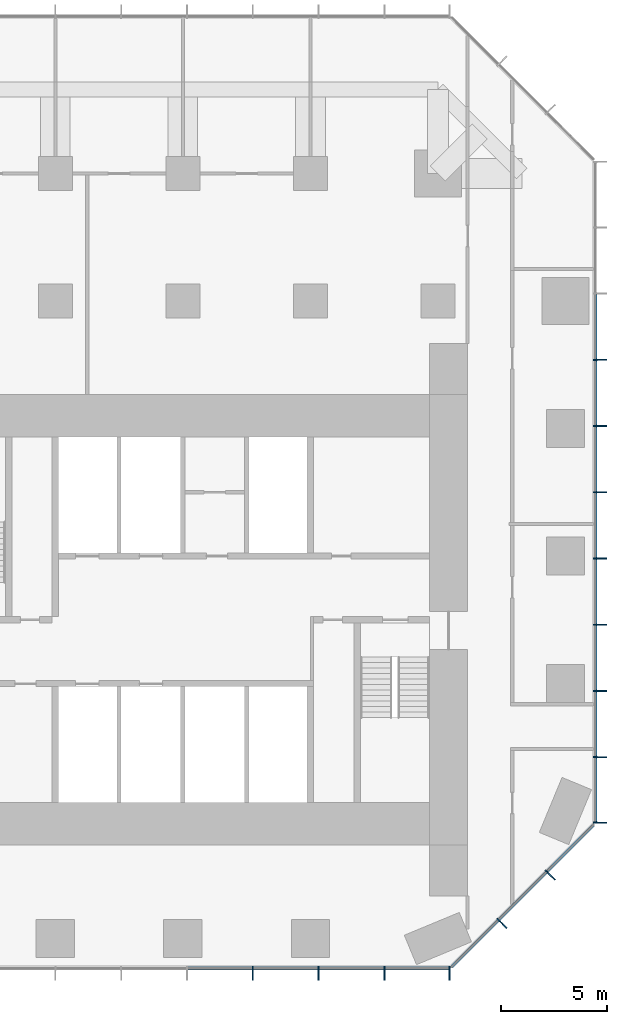
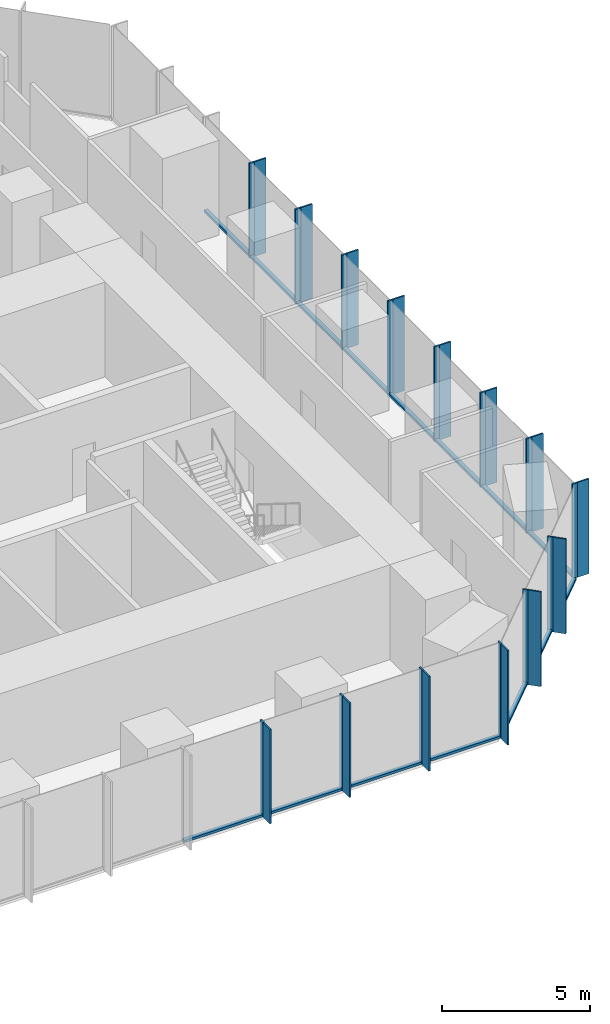
# One storey, part 4 of 11: 43 members, 3 elements without a shape of their own.
"""IFC4 building model written with IfcOpenShell, lengths in metres."""

from ifc_helpers import new_model, si_unit, direction, frame, origin, origin_2d, place, context, subcontext, project, spatial, rectangle, extrude, material, layer, layer_set, material_profile, profile_set, type_object, element, aggregate, save


model = new_model("IFC4")

# Units and contexts
model_context = context("Model", 3, precision=1e-05, world=origin(), true_north=direction((0.0, 1.0)))
body_context = subcontext(model_context, "Body", "Model", "MODEL_VIEW")
ifc_project = project(units=[si_unit("LENGTHUNIT", "METRE"), si_unit("AREAUNIT", "SQUARE_METRE"), si_unit("VOLUMEUNIT", "CUBIC_METRE"), si_unit("PLANEANGLEUNIT", "RADIAN"), si_unit("MASSUNIT", "GRAM", prefix="KILO")], contexts=[model_context])

# Site, building, storey
site_placement = place(None, origin())
site = spatial("IfcSite", under=ifc_project, at=site_placement, CompositionType="ELEMENT")
building_placement = place(site_placement, origin())
building = spatial("IfcBuilding", under=site, at=building_placement, Name="Highveld Stack Headquarters", CompositionType="ELEMENT")
storey_placement = place(building_placement, frame((0.0, 0.0, 109.39990234375)))
storey = spatial("IfcBuildingStorey", under=building, at=storey_placement, Name="L26", CompositionType="ELEMENT", Elevation=109.39990234375)

# Curtain wall, members
ifc_material_1 = material(Name="Aluminium bronze anodised", Category="aluminium")
ifc_layer_1 = layer(ifc_material_1, 0.199951171875)
ifc_layer_set_1 = layer_set([ifc_layer_1], Name="Aluminium bronze anodised")
curtain_wall_type_1 = type_object("IfcCurtainWallType", Name="CW1 TOWER UNITISED CURTAIN WALL", PredefinedType="NOTDEFINED", material=ifc_layer_set_1)
curtain_wall_1_placement = place(storey_placement, origin())
curtain_wall_1 = element("IfcCurtainWall", 1, at=curtain_wall_1_placement, inside=storey, type_object=curtain_wall_type_1, Name="Curtain wall CW1 L26 S", PredefinedType="NOTDEFINED")
ifc_material_2 = material(Name="Aluminium bronze anodised", Category="aluminium")
ifc_material_profile_1 = material_profile(ifc_material_2, rectangle(XDim=0.449951171875, YDim=0.06005859375, at=origin_2d()), Name="FIN 450x60")
ifc_profile_set_1 = profile_set([ifc_material_profile_1], Name="Aluminium bronze anodised")
member_type_1 = type_object("IfcMemberType", Name="CW1 BRONZE FIN 450x60", PredefinedType="USERDEFINED", material=ifc_profile_set_1)
member_1_placement = place(storey_placement, frame((9.2900390625, -13.72509765625, 0.0), z_axis=(0.0, 0.0, 1.0), x_axis=(0.0, 1.0, 0.0)))
member_1 = element("IfcMember", 2, at=member_1_placement, type_object=member_type_1, Name="CW1 fin L26 10", ObjectType="FIN", PredefinedType="USERDEFINED", context=body_context, shape_type="SweptSolid", body=[
    extrude(rectangle(XDim=0.449951171875, YDim=0.06005859375, at=origin_2d()), origin(), (0.0, 0.0, 1.0), 3.900146484375),
])
member_2_placement = place(storey_placement, frame((12.38671875, -13.72509765625, 0.0), z_axis=(0.0, 0.0, 1.0), x_axis=(0.0, 1.0, 0.0)))
member_2 = element("IfcMember", 3, at=member_2_placement, type_object=member_type_1, Name="CW1 fin L26 11", ObjectType="FIN", PredefinedType="USERDEFINED", context=body_context, shape_type="SweptSolid", body=[
    extrude(rectangle(XDim=0.449951171875, YDim=0.06005859375, at=origin_2d()), origin(), (0.0, 0.0, 1.0), 3.900146484375),
])
member_3_placement = place(storey_placement, frame((15.4833984375, -13.72509765625, 0.0), z_axis=(0.0, 0.0, 1.0), x_axis=(0.0, 1.0, 0.0)))
member_3 = element("IfcMember", 4, at=member_3_placement, type_object=member_type_1, Name="CW1 fin L26 12", ObjectType="FIN", PredefinedType="USERDEFINED", context=body_context, shape_type="SweptSolid", body=[
    extrude(rectangle(XDim=0.449951171875, YDim=0.06005859375, at=origin_2d()), origin(), (0.0, 0.0, 1.0), 3.900146484375),
])
member_4_placement = place(storey_placement, frame((18.54736328125, -13.72509765625, 0.0), z_axis=(0.0, 0.0, 1.0), x_axis=(0.0, 1.0, 0.0)))
member_4 = element("IfcMember", 5, at=member_4_placement, type_object=member_type_1, Name="CW1 fin L26 13", ObjectType="FIN", PredefinedType="USERDEFINED", context=body_context, shape_type="SweptSolid", body=[
    extrude(rectangle(XDim=0.449951171875, YDim=0.06005859375, at=origin_2d()), origin(), (0.0, 0.0, 1.0), 3.900146484375),
])

curtain_wall_2_placement = place(storey_placement, origin())
curtain_wall_2 = element("IfcCurtainWall", 6, at=curtain_wall_2_placement, inside=storey, type_object=curtain_wall_type_1, Name="Curtain wall CW1 L26 E", PredefinedType="NOTDEFINED")
member_5_placement = place(storey_placement, frame((25.72509765625, -6.54736328125, 0.0), z_axis=(0.0, 0.0, 1.0), x_axis=(-1.0, 0.0, 0.0)))
member_5 = element("IfcMember", 7, at=member_5_placement, type_object=member_type_1, Name="CW1 fin L26 1", ObjectType="FIN", PredefinedType="USERDEFINED", context=body_context, shape_type="SweptSolid", body=[
    extrude(rectangle(XDim=0.449951171875, YDim=0.06005859375, at=origin_2d()), origin(), (0.0, 0.0, 1.0), 3.900146484375),
])
member_6_placement = place(storey_placement, frame((25.72509765625, -3.4638671875, 0.0), z_axis=(0.0, 0.0, 1.0), x_axis=(-1.0, 0.0, 0.0)))
member_6 = element("IfcMember", 8, at=member_6_placement, type_object=member_type_1, Name="CW1 fin L26 2", ObjectType="FIN", PredefinedType="USERDEFINED", context=body_context, shape_type="SweptSolid", body=[
    extrude(rectangle(XDim=0.449951171875, YDim=0.06005859375, at=origin_2d()), origin(), (0.0, 0.0, 1.0), 3.900146484375),
])
member_7_placement = place(storey_placement, frame((25.72509765625, -0.347900390625, 0.0), z_axis=(0.0, 0.0, 1.0), x_axis=(-1.0, 0.0, 0.0)))
member_7 = element("IfcMember", 9, at=member_7_placement, type_object=member_type_1, Name="CW1 fin L26 3", ObjectType="FIN", PredefinedType="USERDEFINED", context=body_context, shape_type="SweptSolid", body=[
    extrude(rectangle(XDim=0.449951171875, YDim=0.06005859375, at=origin_2d()), origin(), (0.0, 0.0, 1.0), 3.900146484375),
])
member_8_placement = place(storey_placement, frame((25.72509765625, 2.76806640625, 0.0), z_axis=(0.0, 0.0, 1.0), x_axis=(-1.0, 0.0, 0.0)))
member_8 = element("IfcMember", 10, at=member_8_placement, type_object=member_type_1, Name="CW1 fin L26 4", ObjectType="FIN", PredefinedType="USERDEFINED", context=body_context, shape_type="SweptSolid", body=[
    extrude(rectangle(XDim=0.449951171875, YDim=0.06005859375, at=origin_2d()), origin(), (0.0, 0.0, 1.0), 3.900146484375),
])
member_9_placement = place(storey_placement, frame((25.72509765625, 5.884033203125, 0.0), z_axis=(0.0, 0.0, 1.0), x_axis=(-1.0, 0.0, 0.0)))
member_9 = element("IfcMember", 11, at=member_9_placement, type_object=member_type_1, Name="CW1 fin L26 5", ObjectType="FIN", PredefinedType="USERDEFINED", context=body_context, shape_type="SweptSolid", body=[
    extrude(rectangle(XDim=0.449951171875, YDim=0.06005859375, at=origin_2d()), origin(), (0.0, 0.0, 1.0), 3.900146484375),
])
member_10_placement = place(storey_placement, frame((25.72509765625, 9.0, 0.0), z_axis=(0.0, 0.0, 1.0), x_axis=(-1.0, 0.0, 0.0)))
member_10 = element("IfcMember", 12, at=member_10_placement, type_object=member_type_1, Name="CW1 fin L26 6", ObjectType="FIN", PredefinedType="USERDEFINED", context=body_context, shape_type="SweptSolid", body=[
    extrude(rectangle(XDim=0.449951171875, YDim=0.06005859375, at=origin_2d()), origin(), (0.0, 0.0, 1.0), 3.900146484375),
])
member_11_placement = place(storey_placement, frame((25.72509765625, 12.115966796875, 0.0), z_axis=(0.0, 0.0, 1.0), x_axis=(-1.0, 0.0, 0.0)))
member_11 = element("IfcMember", 13, at=member_11_placement, type_object=member_type_1, Name="CW1 fin L26 7", ObjectType="FIN", PredefinedType="USERDEFINED", context=body_context, shape_type="SweptSolid", body=[
    extrude(rectangle(XDim=0.449951171875, YDim=0.06005859375, at=origin_2d()), origin(), (0.0, 0.0, 1.0), 3.900146484375),
])
member_12_placement = place(storey_placement, frame((25.72509765625, 15.23193359375, 0.0), z_axis=(0.0, 0.0, 1.0), x_axis=(-1.0, 0.0, 0.0)))
member_12 = element("IfcMember", 14, at=member_12_placement, type_object=member_type_1, Name="CW1 fin L26 8", ObjectType="FIN", PredefinedType="USERDEFINED", context=body_context, shape_type="SweptSolid", body=[
    extrude(rectangle(XDim=0.449951171875, YDim=0.06005859375, at=origin_2d()), origin(), (0.0, 0.0, 1.0), 3.900146484375),
])

# Member
ifc_material_3 = material(Name="Aluminium bronze anodised", Category="aluminium")
ifc_material_profile_2 = material_profile(ifc_material_3, rectangle(XDim=0.199951171875, YDim=0.06494140625, at=origin_2d()), Name="CW1 MULLION 65x200")
ifc_profile_set_2 = profile_set([ifc_material_profile_2], Name="Aluminium bronze anodised")
member_type_2 = type_object("IfcMemberType", Name="CW1 MULLION 65x200", PredefinedType="MULLION", material=ifc_profile_set_2)
member_13_placement = place(storey_placement, frame((9.2900390625, -13.39990234375, 0.0), z_axis=(0.0, 0.0, 1.0), x_axis=(0.0, 1.0, 0.0)))
member_13 = element("IfcMember", 15, at=member_13_placement, type_object=member_type_2, Name="CW1 mullion L26 10", PredefinedType="MULLION", context=body_context, shape_type="SweptSolid", body=[
    extrude(rectangle(XDim=0.199951171875, YDim=0.06494140625, at=origin_2d()), origin(), (0.0, 0.0, 1.0), 3.900146484375),
])

member_14_placement = place(storey_placement, frame((12.38671875, -13.39990234375, 0.0), z_axis=(0.0, 0.0, 1.0), x_axis=(0.0, 1.0, 0.0)))
member_14 = element("IfcMember", 16, at=member_14_placement, type_object=member_type_2, Name="CW1 mullion L26 11", PredefinedType="MULLION", context=body_context, shape_type="SweptSolid", body=[
    extrude(rectangle(XDim=0.199951171875, YDim=0.06494140625, at=origin_2d()), origin(), (0.0, 0.0, 1.0), 3.900146484375),
])

member_15_placement = place(storey_placement, frame((15.4833984375, -13.39990234375, 0.0), z_axis=(0.0, 0.0, 1.0), x_axis=(0.0, 1.0, 0.0)))
member_15 = element("IfcMember", 17, at=member_15_placement, type_object=member_type_2, Name="CW1 mullion L26 12", PredefinedType="MULLION", context=body_context, shape_type="SweptSolid", body=[
    extrude(rectangle(XDim=0.199951171875, YDim=0.06494140625, at=origin_2d()), origin(), (0.0, 0.0, 1.0), 3.900146484375),
])

member_16_placement = place(storey_placement, frame((18.54736328125, -13.39990234375, 0.0), z_axis=(0.0, 0.0, 1.0), x_axis=(0.0, 1.0, 0.0)))
member_16 = element("IfcMember", 18, at=member_16_placement, type_object=member_type_2, Name="CW1 mullion L26 13", PredefinedType="MULLION", context=body_context, shape_type="SweptSolid", body=[
    extrude(rectangle(XDim=0.199951171875, YDim=0.06494140625, at=origin_2d()), origin(), (0.0, 0.0, 1.0), 3.900146484375),
])

member_17_placement = place(storey_placement, frame((25.39990234375, -6.54736328125, 0.0), z_axis=(0.0, 0.0, 1.0), x_axis=(-1.0, 0.0, 0.0)))
member_17 = element("IfcMember", 19, at=member_17_placement, type_object=member_type_2, Name="CW1 mullion L26 1", PredefinedType="MULLION", context=body_context, shape_type="SweptSolid", body=[
    extrude(rectangle(XDim=0.199951171875, YDim=0.06494140625, at=origin_2d()), origin(), (0.0, 0.0, 1.0), 3.900146484375),
])

member_18_placement = place(storey_placement, frame((25.39990234375, -3.4638671875, 0.0), z_axis=(0.0, 0.0, 1.0), x_axis=(-1.0, 0.0, 0.0)))
member_18 = element("IfcMember", 20, at=member_18_placement, type_object=member_type_2, Name="CW1 mullion L26 2", PredefinedType="MULLION", context=body_context, shape_type="SweptSolid", body=[
    extrude(rectangle(XDim=0.199951171875, YDim=0.06494140625, at=origin_2d()), origin(), (0.0, 0.0, 1.0), 3.900146484375),
])

member_19_placement = place(storey_placement, frame((25.39990234375, -0.347900390625, 0.0), z_axis=(0.0, 0.0, 1.0), x_axis=(-1.0, 0.0, 0.0)))
member_19 = element("IfcMember", 21, at=member_19_placement, type_object=member_type_2, Name="CW1 mullion L26 3", PredefinedType="MULLION", context=body_context, shape_type="SweptSolid", body=[
    extrude(rectangle(XDim=0.199951171875, YDim=0.06494140625, at=origin_2d()), origin(), (0.0, 0.0, 1.0), 3.900146484375),
])

member_20_placement = place(storey_placement, frame((25.39990234375, 2.76806640625, 0.0), z_axis=(0.0, 0.0, 1.0), x_axis=(-1.0, 0.0, 0.0)))
member_20 = element("IfcMember", 22, at=member_20_placement, type_object=member_type_2, Name="CW1 mullion L26 4", PredefinedType="MULLION", context=body_context, shape_type="SweptSolid", body=[
    extrude(rectangle(XDim=0.199951171875, YDim=0.06494140625, at=origin_2d()), origin(), (0.0, 0.0, 1.0), 3.900146484375),
])

member_21_placement = place(storey_placement, frame((25.39990234375, 5.884033203125, 0.0), z_axis=(0.0, 0.0, 1.0), x_axis=(-1.0, 0.0, 0.0)))
member_21 = element("IfcMember", 23, at=member_21_placement, type_object=member_type_2, Name="CW1 mullion L26 5", PredefinedType="MULLION", context=body_context, shape_type="SweptSolid", body=[
    extrude(rectangle(XDim=0.199951171875, YDim=0.06494140625, at=origin_2d()), origin(), (0.0, 0.0, 1.0), 3.900146484375),
])

member_22_placement = place(storey_placement, frame((25.39990234375, 9.0, 0.0), z_axis=(0.0, 0.0, 1.0), x_axis=(-1.0, 0.0, 0.0)))
member_22 = element("IfcMember", 24, at=member_22_placement, type_object=member_type_2, Name="CW1 mullion L26 6", PredefinedType="MULLION", context=body_context, shape_type="SweptSolid", body=[
    extrude(rectangle(XDim=0.199951171875, YDim=0.06494140625, at=origin_2d()), origin(), (0.0, 0.0, 1.0), 3.900146484375),
])

member_23_placement = place(storey_placement, frame((25.39990234375, 12.115966796875, 0.0), z_axis=(0.0, 0.0, 1.0), x_axis=(-1.0, 0.0, 0.0)))
member_23 = element("IfcMember", 25, at=member_23_placement, type_object=member_type_2, Name="CW1 mullion L26 7", PredefinedType="MULLION", context=body_context, shape_type="SweptSolid", body=[
    extrude(rectangle(XDim=0.199951171875, YDim=0.06494140625, at=origin_2d()), origin(), (0.0, 0.0, 1.0), 3.900146484375),
])

member_24_placement = place(storey_placement, frame((25.39990234375, 15.23193359375, 0.0), z_axis=(0.0, 0.0, 1.0), x_axis=(-1.0, 0.0, 0.0)))
member_24 = element("IfcMember", 26, at=member_24_placement, type_object=member_type_2, Name="CW1 mullion L26 8", PredefinedType="MULLION", context=body_context, shape_type="SweptSolid", body=[
    extrude(rectangle(XDim=0.199951171875, YDim=0.06494140625, at=origin_2d()), origin(), (0.0, 0.0, 1.0), 3.900146484375),
])

ifc_material_4 = material(Name="Aluminium bronze anodised", Category="aluminium")
ifc_material_profile_3 = material_profile(ifc_material_4, rectangle(XDim=0.14990234375, YDim=0.10009765625, at=origin_2d()), Name="CW1 TRANSOM 150x100")
ifc_profile_set_3 = profile_set([ifc_material_profile_3], Name="Aluminium bronze anodised")
member_type_3 = type_object("IfcMemberType", Name="CW1 STACK TRANSOM 150x100", PredefinedType="USERDEFINED", material=ifc_profile_set_3)
member_25_placement = place(storey_placement, frame((6.225830078125, -13.39990234375, 0.050048828125), z_axis=(1.0, 0.0, 0.0), x_axis=(0.0, 1.0, 0.0)))
member_25 = element("IfcMember", 27, at=member_25_placement, type_object=member_type_3, Name="CW1 transom L26 9.1", ObjectType="TRANSOM", PredefinedType="USERDEFINED", context=body_context, shape_type="SweptSolid", body=[
    extrude(rectangle(XDim=0.14990234375, YDim=0.10009765625, at=origin_2d()), origin(), (0.0, 0.0, 1.0), 3.03173828125),
])

member_26_placement = place(storey_placement, frame((9.322509765625, -13.39990234375, 0.050048828125), z_axis=(1.0, 0.0, 0.0), x_axis=(0.0, 1.0, 0.0)))
member_26 = element("IfcMember", 28, at=member_26_placement, type_object=member_type_3, Name="CW1 transom L26 10.1", ObjectType="TRANSOM", PredefinedType="USERDEFINED", context=body_context, shape_type="SweptSolid", body=[
    extrude(rectangle(XDim=0.14990234375, YDim=0.10009765625, at=origin_2d()), origin(), (0.0, 0.0, 1.0), 3.031494140625),
])

member_27_placement = place(storey_placement, frame((12.419189453125, -13.39990234375, 0.050048828125), z_axis=(1.0, 0.0, 0.0), x_axis=(0.0, 1.0, 0.0)))
member_27 = element("IfcMember", 29, at=member_27_placement, type_object=member_type_3, Name="CW1 transom L26 11.1", ObjectType="TRANSOM", PredefinedType="USERDEFINED", context=body_context, shape_type="SweptSolid", body=[
    extrude(rectangle(XDim=0.14990234375, YDim=0.10009765625, at=origin_2d()), origin(), (0.0, 0.0, 1.0), 3.031494140625),
])

member_28_placement = place(storey_placement, frame((15.515869140625, -13.39990234375, 0.050048828125), z_axis=(1.0, 0.0, 0.0), x_axis=(0.0, 1.0, 0.0)))
member_28 = element("IfcMember", 30, at=member_28_placement, type_object=member_type_3, Name="CW1 transom L26 12.1", ObjectType="TRANSOM", PredefinedType="USERDEFINED", context=body_context, shape_type="SweptSolid", body=[
    extrude(rectangle(XDim=0.14990234375, YDim=0.10009765625, at=origin_2d()), origin(), (0.0, 0.0, 1.0), 2.9990234375),
])

aggregate(curtain_wall_1, [member_13, member_1, member_14, member_2, member_15, member_3, member_16, member_4, member_25, member_26, member_27, member_28])

member_29_placement = place(storey_placement, frame((25.39990234375, -6.514892578125, 0.050048828125), z_axis=(0.0, 1.0, 0.0), x_axis=(-1.0, 0.0, 0.0)))
member_29 = element("IfcMember", 31, at=member_29_placement, type_object=member_type_3, Name="CW1 transom L26 1.1", ObjectType="TRANSOM", PredefinedType="USERDEFINED", context=body_context, shape_type="SweptSolid", body=[
    extrude(rectangle(XDim=0.14990234375, YDim=0.10009765625, at=origin_2d()), origin(), (0.0, 0.0, 1.0), 3.0185546875),
])

member_30_placement = place(storey_placement, frame((25.39990234375, -3.431396484375, 0.050048828125), z_axis=(0.0, 1.0, 0.0), x_axis=(-1.0, 0.0, 0.0)))
member_30 = element("IfcMember", 32, at=member_30_placement, type_object=member_type_3, Name="CW1 transom L26 2.1", ObjectType="TRANSOM", PredefinedType="USERDEFINED", context=body_context, shape_type="SweptSolid", body=[
    extrude(rectangle(XDim=0.14990234375, YDim=0.10009765625, at=origin_2d()), origin(), (0.0, 0.0, 1.0), 3.051025390625),
])

member_31_placement = place(storey_placement, frame((25.39990234375, -0.3154296875, 0.050048828125), z_axis=(0.0, 1.0, 0.0), x_axis=(-1.0, 0.0, 0.0)))
member_31 = element("IfcMember", 33, at=member_31_placement, type_object=member_type_3, Name="CW1 transom L26 3.1", ObjectType="TRANSOM", PredefinedType="USERDEFINED", context=body_context, shape_type="SweptSolid", body=[
    extrude(rectangle(XDim=0.14990234375, YDim=0.10009765625, at=origin_2d()), origin(), (0.0, 0.0, 1.0), 3.051025390625),
])

member_32_placement = place(storey_placement, frame((25.39990234375, 2.800537109375, 0.050048828125), z_axis=(0.0, 1.0, 0.0), x_axis=(-1.0, 0.0, 0.0)))
member_32 = element("IfcMember", 34, at=member_32_placement, type_object=member_type_3, Name="CW1 transom L26 4.1", ObjectType="TRANSOM", PredefinedType="USERDEFINED", context=body_context, shape_type="SweptSolid", body=[
    extrude(rectangle(XDim=0.14990234375, YDim=0.10009765625, at=origin_2d()), origin(), (0.0, 0.0, 1.0), 3.051025390625),
])

member_33_placement = place(storey_placement, frame((25.39990234375, 5.91650390625, 0.050048828125), z_axis=(0.0, 1.0, 0.0), x_axis=(-1.0, 0.0, 0.0)))
member_33 = element("IfcMember", 35, at=member_33_placement, type_object=member_type_3, Name="CW1 transom L26 5.1", ObjectType="TRANSOM", PredefinedType="USERDEFINED", context=body_context, shape_type="SweptSolid", body=[
    extrude(rectangle(XDim=0.14990234375, YDim=0.10009765625, at=origin_2d()), origin(), (0.0, 0.0, 1.0), 3.051025390625),
])

member_34_placement = place(storey_placement, frame((25.39990234375, 9.032470703125, 0.050048828125), z_axis=(0.0, 1.0, 0.0), x_axis=(-1.0, 0.0, 0.0)))
member_34 = element("IfcMember", 36, at=member_34_placement, type_object=member_type_3, Name="CW1 transom L26 6.1", ObjectType="TRANSOM", PredefinedType="USERDEFINED", context=body_context, shape_type="SweptSolid", body=[
    extrude(rectangle(XDim=0.14990234375, YDim=0.10009765625, at=origin_2d()), origin(), (0.0, 0.0, 1.0), 3.051025390625),
])

member_35_placement = place(storey_placement, frame((25.39990234375, 12.1484375, 0.050048828125), z_axis=(0.0, 1.0, 0.0), x_axis=(-1.0, 0.0, 0.0)))
member_35 = element("IfcMember", 37, at=member_35_placement, type_object=member_type_3, Name="CW1 transom L26 7.1", ObjectType="TRANSOM", PredefinedType="USERDEFINED", context=body_context, shape_type="SweptSolid", body=[
    extrude(rectangle(XDim=0.14990234375, YDim=0.10009765625, at=origin_2d()), origin(), (0.0, 0.0, 1.0), 3.051025390625),
])

member_36_placement = place(storey_placement, frame((25.39990234375, 15.264404296875, 0.050048828125), z_axis=(0.0, 1.0, 0.0), x_axis=(-1.0, 0.0, 0.0)))
member_36 = element("IfcMember", 38, at=member_36_placement, type_object=member_type_3, Name="CW1 transom L26 8.1", ObjectType="TRANSOM", PredefinedType="USERDEFINED", context=body_context, shape_type="SweptSolid", body=[
    extrude(rectangle(XDim=0.14990234375, YDim=0.10009765625, at=origin_2d()), origin(), (0.0, 0.0, 1.0), 3.051025390625),
])

aggregate(curtain_wall_2, [member_17, member_5, member_18, member_6, member_19, member_7, member_20, member_8, member_21, member_9, member_22, member_10, member_23, member_11, member_24, member_12, member_29, member_30, member_31, member_32, member_33, member_34, member_35, member_36])

# Curtain wall, members
ifc_material_5 = material(Name="Aluminium bronze anodised", Category="aluminium")
ifc_layer_2 = layer(ifc_material_5, 0.199951171875)
ifc_layer_set_2 = layer_set([ifc_layer_2], Name="Aluminium bronze anodised")
curtain_wall_type_2 = type_object("IfcCurtainWallType", Name="CW2 TOWER CHAMFER UNITISED CURTAIN WALL", PredefinedType="NOTDEFINED", material=ifc_layer_set_2)
curtain_wall_3_placement = place(storey_placement, origin())
curtain_wall_3 = element("IfcCurtainWall", 39, at=curtain_wall_3_placement, inside=storey, type_object=curtain_wall_type_2, Name="Curtain wall CW2 L26 SE", PredefinedType="NOTDEFINED")
ifc_material_6 = material(Name="Aluminium bronze anodised", Category="aluminium")
ifc_material_profile_4 = material_profile(ifc_material_6, rectangle(XDim=0.449951171875, YDim=0.06005859375, at=origin_2d()), Name="FIN 450x60")
ifc_profile_set_4 = profile_set([ifc_material_profile_4], Name="Aluminium bronze anodised")
member_type_4 = type_object("IfcMemberType", Name="CW2 BRONZE FIN 450x60", PredefinedType="USERDEFINED", material=ifc_profile_set_4)
member_37_placement = place(storey_placement, frame((21.0830078125, -11.3564453125, 0.0), z_axis=(0.0, 0.0, 1.0), x_axis=(-0.707106781187, 0.707106781187, 0.0)))
member_37 = element("IfcMember", 40, at=member_37_placement, type_object=member_type_4, Name="CW2 fin L26 1", ObjectType="FIN", PredefinedType="USERDEFINED", context=body_context, shape_type="SweptSolid", body=[
    extrude(rectangle(XDim=0.449951171875, YDim=0.06005859375, at=origin_2d()), origin(), (0.0, 0.0, 1.0), 3.900146484375),
])
member_38_placement = place(storey_placement, frame((23.3564453125, -9.0830078125, 0.0), z_axis=(0.0, 0.0, 1.0), x_axis=(-0.707106781187, 0.707106781187, 0.0)))
member_38 = element("IfcMember", 41, at=member_38_placement, type_object=member_type_4, Name="CW2 fin L26 2", ObjectType="FIN", PredefinedType="USERDEFINED", context=body_context, shape_type="SweptSolid", body=[
    extrude(rectangle(XDim=0.449951171875, YDim=0.06005859375, at=origin_2d()), origin(), (0.0, 0.0, 1.0), 3.900146484375),
])
ifc_material_7 = material(Name="Aluminium bronze anodised", Category="aluminium")
ifc_material_profile_5 = material_profile(ifc_material_7, rectangle(XDim=0.199951171875, YDim=0.06494140625, at=origin_2d()), Name="CW2 MULLION 65x200")
ifc_profile_set_5 = profile_set([ifc_material_profile_5], Name="Aluminium bronze anodised")
member_type_5 = type_object("IfcMemberType", Name="CW2 MULLION 65x200", PredefinedType="MULLION", material=ifc_profile_set_5)
member_39_placement = place(storey_placement, frame((20.853271484375, -11.126708984375, 0.0), z_axis=(0.0, 0.0, 1.0), x_axis=(-0.707106781187, 0.707106781187, 0.0)))
member_39 = element("IfcMember", 42, at=member_39_placement, type_object=member_type_5, Name="CW2 mullion L26 1", PredefinedType="MULLION", context=body_context, shape_type="SweptSolid", body=[
    extrude(rectangle(XDim=0.199951171875, YDim=0.06494140625, at=origin_2d()), origin(), (0.0, 0.0, 1.0), 3.900146484375),
])
member_40_placement = place(storey_placement, frame((23.126708984375, -8.853271484375, 0.0), z_axis=(0.0, 0.0, 1.0), x_axis=(-0.707106781187, 0.707106781187, 0.0)))
member_40 = element("IfcMember", 43, at=member_40_placement, type_object=member_type_5, Name="CW2 mullion L26 2", PredefinedType="MULLION", context=body_context, shape_type="SweptSolid", body=[
    extrude(rectangle(XDim=0.199951171875, YDim=0.06494140625, at=origin_2d()), origin(), (0.0, 0.0, 1.0), 3.900146484375),
])
ifc_material_8 = material(Name="Aluminium bronze anodised", Category="aluminium")
ifc_material_profile_6 = material_profile(ifc_material_8, rectangle(XDim=0.14990234375, YDim=0.10009765625, at=origin_2d()), Name="CW2 TRANSOM 150x100")
ifc_profile_set_6 = profile_set([ifc_material_profile_6], Name="Aluminium bronze anodised")
member_type_6 = type_object("IfcMemberType", Name="CW2 STACK TRANSOM 150x100", PredefinedType="USERDEFINED", material=ifc_profile_set_6)
member_41_placement = place(storey_placement, frame((18.650634765625, -13.329345703125, 0.050048828125), z_axis=(0.707106781187, 0.707106781187, 0.0), x_axis=(-0.707106781187, 0.707106781187, 0.0)))
member_41 = element("IfcMember", 44, at=member_41_placement, type_object=member_type_6, Name="CW2 transom L26 1.1", ObjectType="TRANSOM", PredefinedType="USERDEFINED", context=body_context, shape_type="SweptSolid", body=[
    extrude(rectangle(XDim=0.14990234375, YDim=0.10009765625, at=origin_2d()), origin(), (0.0, 0.0, 1.0), 3.08251953125),
])
member_42_placement = place(storey_placement, frame((20.876220703125, -11.103759765625, 0.050048828125), z_axis=(0.707106781187, 0.707106781187, 0.0), x_axis=(-0.707106781187, 0.707106781187, 0.0)))
member_42 = element("IfcMember", 45, at=member_42_placement, type_object=member_type_6, Name="CW2 transom L26 2.1", ObjectType="TRANSOM", PredefinedType="USERDEFINED", context=body_context, shape_type="SweptSolid", body=[
    extrude(rectangle(XDim=0.14990234375, YDim=0.10009765625, at=origin_2d()), origin(), (0.0, 0.0, 1.0), 3.150146484375),
])
member_43_placement = place(storey_placement, frame((23.149658203125, -8.830322265625, 0.050048828125), z_axis=(0.707106781187, 0.707106781187, 0.0), x_axis=(-0.707106781187, 0.707106781187, 0.0)))
member_43 = element("IfcMember", 46, at=member_43_placement, type_object=member_type_6, Name="CW2 transom L26 3.1", ObjectType="TRANSOM", PredefinedType="USERDEFINED", context=body_context, shape_type="SweptSolid", body=[
    extrude(rectangle(XDim=0.14990234375, YDim=0.10009765625, at=origin_2d()), origin(), (0.0, 0.0, 1.0), 3.08251953125),
])
aggregate(curtain_wall_3, [member_39, member_37, member_40, member_38, member_41, member_42, member_43])

save(model, "model.ifc")
